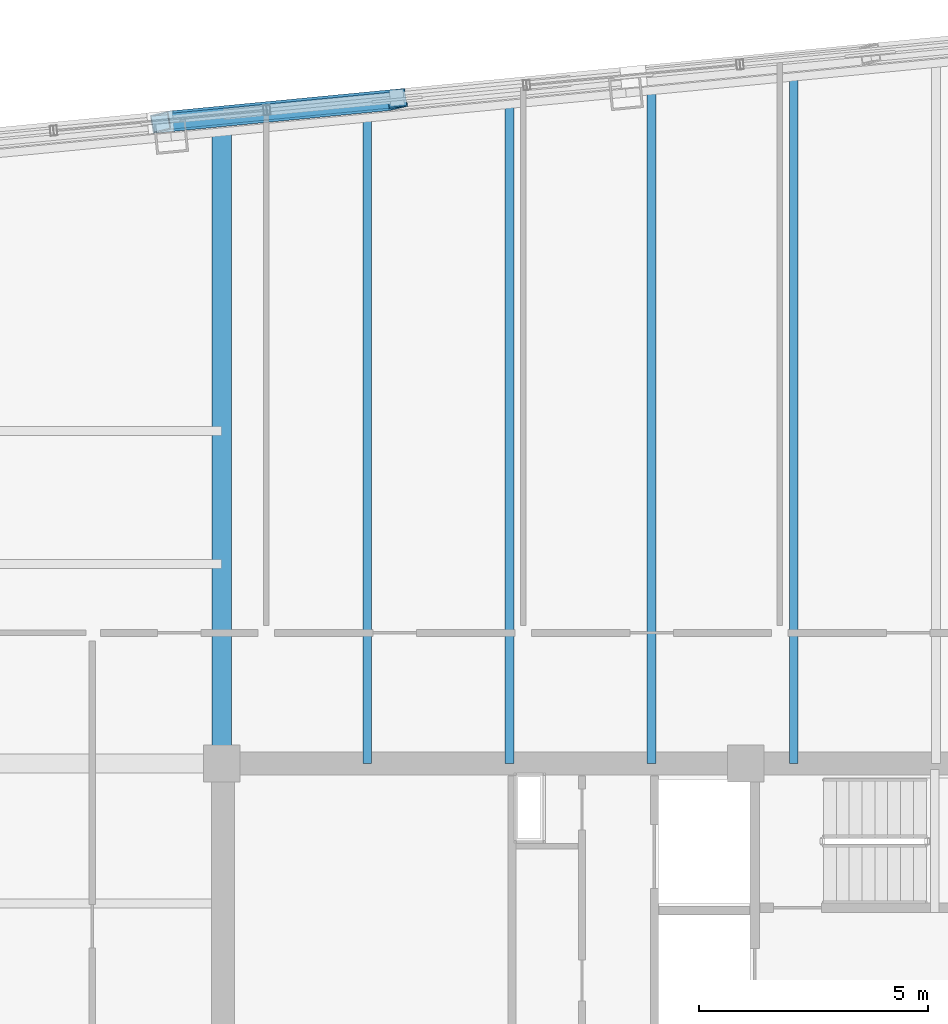
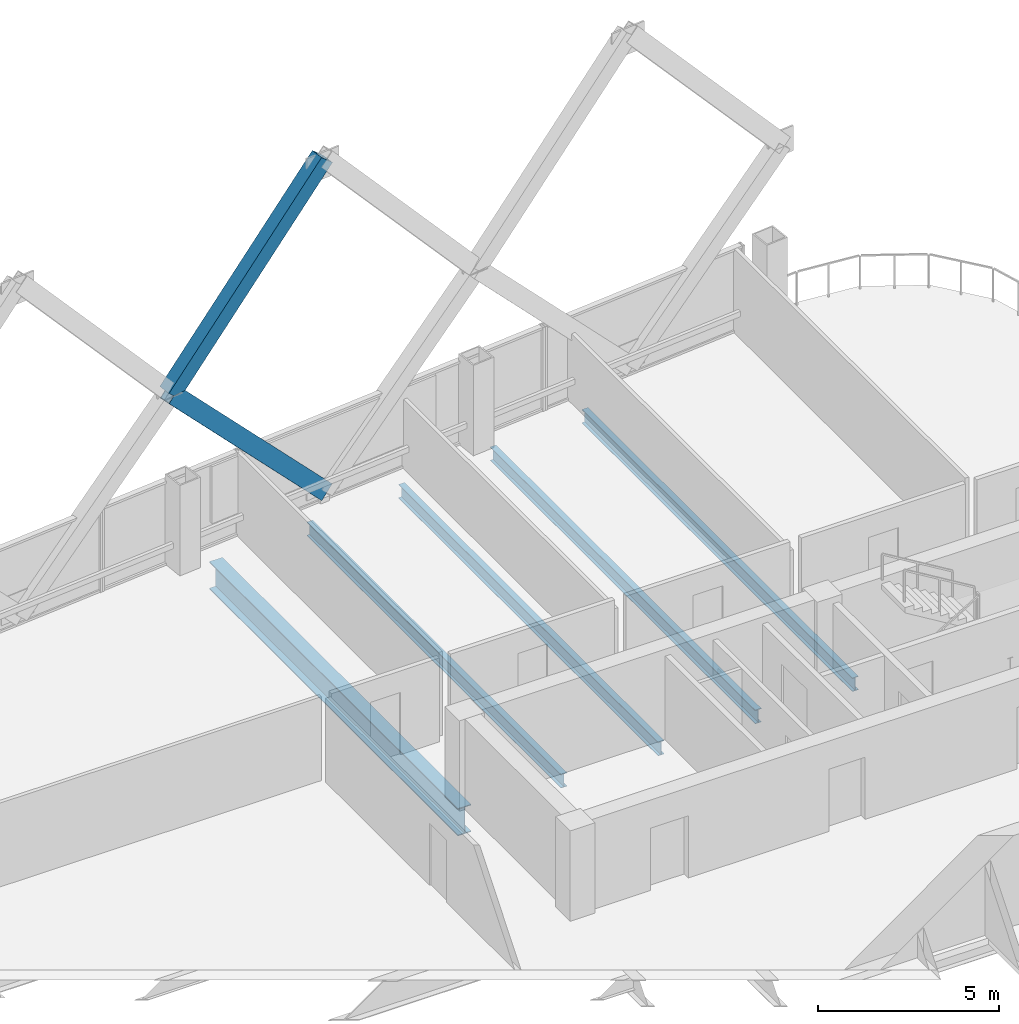
# One storey, part 21 of 34: 5 beams, 2 members.
"""IFC4 building model written with IfcOpenShell, lengths in metres."""

from ifc_helpers import new_model, si_unit, direction, frame, origin, origin_2d, place, context, subcontext, project, spatial, hollow_rectangle, i_section, extrude, material, material_profile, profile_set, type_object, element, save


model = new_model("IFC4")

# Units and contexts
model_context = context("Model", 3, precision=1e-05, world=origin(), true_north=direction((0.0, 1.0)))
body_context = subcontext(model_context, "Body", "Model", "MODEL_VIEW")
ifc_project = project(units=[si_unit("LENGTHUNIT", "METRE"), si_unit("AREAUNIT", "SQUARE_METRE"), si_unit("VOLUMEUNIT", "CUBIC_METRE"), si_unit("PLANEANGLEUNIT", "RADIAN"), si_unit("MASSUNIT", "GRAM", prefix="KILO")], contexts=[model_context])

# Site, building, storey
site_placement = place(None, origin())
site = spatial("IfcSite", under=ifc_project, at=site_placement, CompositionType="ELEMENT")
building_placement = place(site_placement, origin())
building = spatial("IfcBuilding", under=site, at=building_placement, Name="Qhalaya Broadcast Tower", CompositionType="ELEMENT")
storey_placement = place(building_placement, frame((0.0, 0.0, 168.35009765625)))
storey = spatial("IfcBuildingStorey", under=building, at=storey_placement, Name="L49", CompositionType="ELEMENT", Elevation=168.35009765625)

# Beams
ifc_material_1 = material(Name="Structural Steel ASTM A992 Grade 50", Category="steel")
ifc_material_profile_1 = material_profile(ifc_material_1, i_section(OverallWidth=0.19189453125, OverallDepth=0.462890625, WebThickness=0.010498046875, FlangeThickness=0.017578125, at=origin_2d()), Name="W18X60")
ifc_profile_set_1 = profile_set([ifc_material_profile_1], Name="Structural Steel ASTM A992 Grade 50")
beam_type_1 = type_object("IfcBeamType", Name="Composite Floor Joist J03", PredefinedType="JOIST", material=ifc_profile_set_1)
beam_1_placement = place(storey_placement, frame((-6.199951171875, 9.949951171875, -0.45166015625), z_axis=(0.0, 1.0, 0.0), x_axis=(-1.0, 0.0, 0.0)))
element("IfcBeam", 1, at=beam_1_placement, inside=storey, type_object=beam_type_1, Name="L49 J03 L49-JNN1-1", PredefinedType="JOIST", context=body_context, shape_type="SweptSolid", body=[
    extrude(i_section(OverallWidth=0.19189453125, OverallDepth=0.462890625, WebThickness=0.010498046875, FlangeThickness=0.017578125, at=origin_2d()), origin(), (0.0, 0.0, 1.0), 14.059326171875),
])
beam_2_placement = place(storey_placement, frame((-3.10009765625, 9.949951171875, -0.45166015625), z_axis=(0.0, 1.0, 0.0), x_axis=(-1.0, 0.0, 0.0)))
element("IfcBeam", 2, at=beam_2_placement, inside=storey, type_object=beam_type_1, Name="L49 J03 L49-JNN2-1", PredefinedType="JOIST", context=body_context, shape_type="SweptSolid", body=[
    extrude(i_section(OverallWidth=0.19189453125, OverallDepth=0.462890625, WebThickness=0.010498046875, FlangeThickness=0.017578125, at=origin_2d()), origin(), (0.0, 0.0, 1.0), 14.35791015625),
])
beam_3_placement = place(storey_placement, frame((0.0, 9.949951171875, -0.45166015625), z_axis=(0.0, 1.0, 0.0), x_axis=(-1.0, 0.0, 0.0)))
element("IfcBeam", 3, at=beam_3_placement, inside=storey, type_object=beam_type_1, Name="L49 J03 L49-JNN3-1", PredefinedType="JOIST", context=body_context, shape_type="SweptSolid", body=[
    extrude(i_section(OverallWidth=0.19189453125, OverallDepth=0.462890625, WebThickness=0.010498046875, FlangeThickness=0.017578125, at=origin_2d()), origin(), (0.0, 0.0, 1.0), 14.65625),
])
beam_4_placement = place(storey_placement, frame((3.10009765625, 9.949951171875, -0.45166015625), z_axis=(0.0, 1.0, 0.0), x_axis=(-1.0, 0.0, 0.0)))
element("IfcBeam", 4, at=beam_4_placement, inside=storey, type_object=beam_type_1, Name="L49 J03 L49-JNN4-1", PredefinedType="JOIST", context=body_context, shape_type="SweptSolid", body=[
    extrude(i_section(OverallWidth=0.19189453125, OverallDepth=0.462890625, WebThickness=0.010498046875, FlangeThickness=0.017578125, at=origin_2d()), origin(), (0.0, 0.0, 1.0), 14.954833984375),
])

# Members
ifc_material_2 = material(Name="Structural Steel ASTM A572 Grade 50", Category="steel")
ifc_material_profile_2 = material_profile(ifc_material_2, hollow_rectangle(XDim=0.39990234375, YDim=0.550048828125, WallThickness=0.02490234375, at=origin_2d()), Name="BOX 400x550x25")
ifc_profile_set_2 = profile_set([ifc_material_profile_2], Name="Structural Steel ASTM A572 Grade 50")
member_type = type_object("IfcMemberType", Name="Exoskeleton Diamond Diagonal Mid-High EX3", PredefinedType="BRACE", material=ifc_profile_set_2)
member_1_placement = place(storey_placement, frame((-5.5517578125, 24.433349609375, 0.35986328125), z_axis=(-0.690615647814, -0.066502760768, 0.72015790616), x_axis=(0.164116501784, -0.984196976573, 0.066498760488)))
element("IfcMember", 5, at=member_1_placement, inside=storey, type_object=member_type, Name="B4 Exoskeleton Diamond Brace N2-D2", PredefinedType="BRACE", context=body_context, shape_type="SweptSolid", body=[
    extrude(hollow_rectangle(XDim=0.39990234375, YDim=0.550048828125, WallThickness=0.02490234375, at=origin_2d()), origin(), (0.0, 0.0, 1.0), 7.470703125),
])
member_2_placement = place(storey_placement, frame((-10.711181640625, 23.9365234375, 5.739990234375), z_axis=(0.659492058015, 0.063505717979, 0.749024198007), x_axis=(-0.166870474322, 0.983931783079, 0.063501897979)))
element("IfcMember", 6, at=member_2_placement, inside=storey, type_object=member_type, Name="B4 Exoskeleton Diamond Brace N2-D4", PredefinedType="BRACE", context=body_context, shape_type="SweptSolid", body=[
    extrude(hollow_rectangle(XDim=0.39990234375, YDim=0.550048828125, WallThickness=0.02490234375, at=origin_2d()), origin(), (0.0, 0.0, 1.0), 7.8232421875),
])

# Beam
ifc_material_profile_3 = material_profile(ifc_material_1, i_section(OverallWidth=0.4189453125, OverallDepth=0.927001953125, WebThickness=0.019287109375, FlangeThickness=0.031982421875, at=origin_2d()), Name="W36X231")
ifc_profile_set_3 = profile_set([ifc_material_profile_3], Name="Structural Steel ASTM A992 Grade 50")
beam_type_2 = type_object("IfcBeamType", Name="Mid Block Primary Girder PG3", PredefinedType="USERDEFINED", material=ifc_profile_set_3)
beam_5_placement = place(storey_placement, frame((-9.375, 9.949951171875, -0.68359375), z_axis=(0.0, 1.0, 0.0), x_axis=(-1.0, 0.0, 0.0)))
element("IfcBeam", 7, at=beam_5_placement, inside=storey, type_object=beam_type_2, Name="L49 PG3 L49-PGXN1-1", ObjectType="GIRDER", PredefinedType="USERDEFINED", context=body_context, shape_type="SweptSolid", body=[
    extrude(i_section(OverallWidth=0.4189453125, OverallDepth=0.927001953125, WebThickness=0.019287109375, FlangeThickness=0.031982421875, at=origin_2d()), origin(), (0.0, 0.0, 1.0), 13.753662109375),
])

save(model, "model.ifc")
